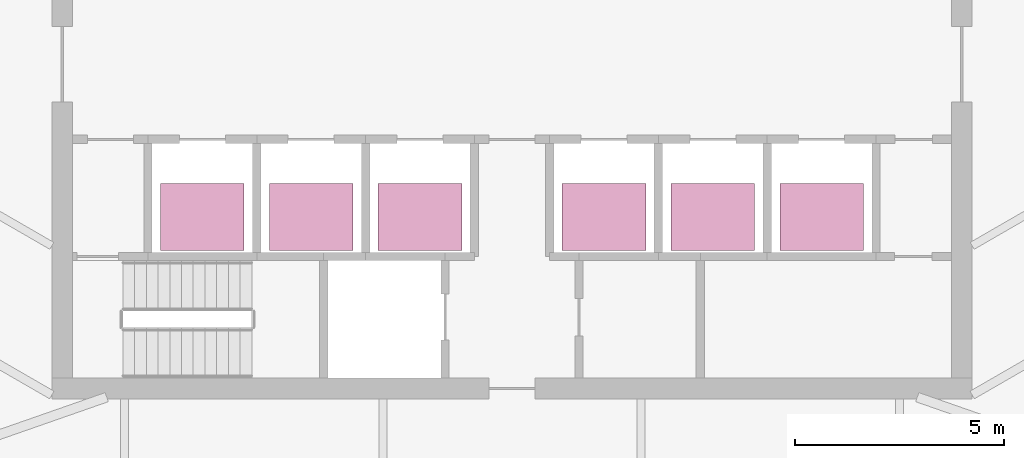
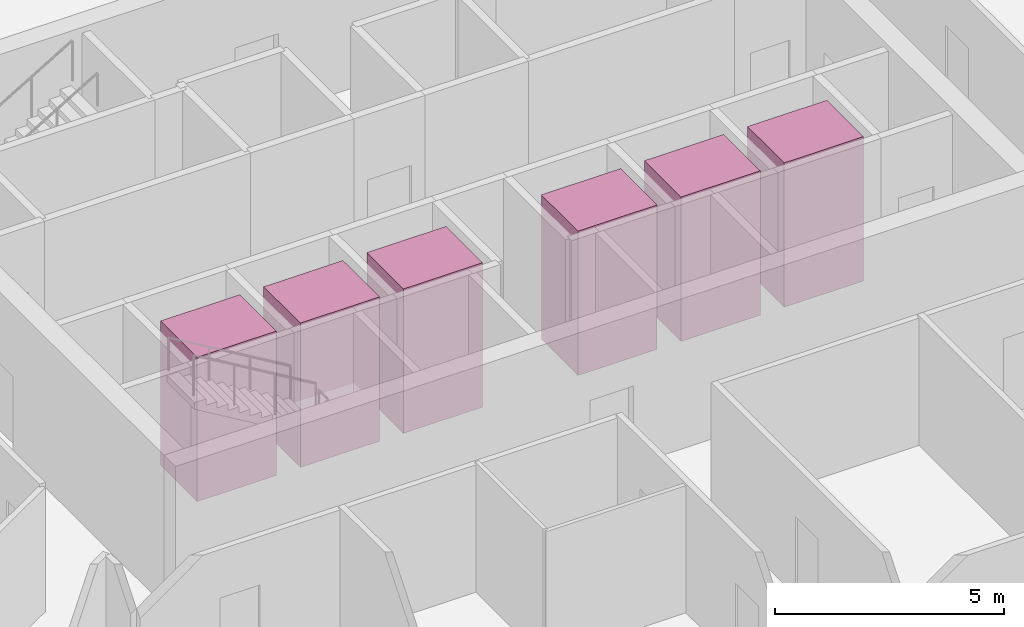
# One storey, part 19 of 19: 6 transport elements.
"""IFC4 building model written with IfcOpenShell, lengths in metres."""

from ifc_helpers import new_model, si_unit, direction, frame, origin, origin_2d, place, context, subcontext, project, spatial, rectangle, extrude, material, type_object, element, save


model = new_model("IFC4")

# Units and contexts
model_context = context("Model", 3, precision=1e-05, world=origin(), true_north=direction((0.0, 1.0)))
body_context = subcontext(model_context, "Body", "Model", "MODEL_VIEW")
ifc_project = project(units=[si_unit("LENGTHUNIT", "METRE"), si_unit("AREAUNIT", "SQUARE_METRE"), si_unit("VOLUMEUNIT", "CUBIC_METRE"), si_unit("PLANEANGLEUNIT", "RADIAN"), si_unit("MASSUNIT", "GRAM", prefix="KILO")], contexts=[model_context])

# Site, building, storey
site_placement = place(None, origin())
site = spatial("IfcSite", under=ifc_project, at=site_placement, CompositionType="ELEMENT")
building_placement = place(site_placement, origin())
building = spatial("IfcBuilding", under=site, at=building_placement, Name="Sierra Prisma Convention Tower", CompositionType="ELEMENT")
storey_placement = place(building_placement, frame((0.0, 0.0, 311.0)))
storey = spatial("IfcBuildingStorey", under=building, at=storey_placement, Name="L71", CompositionType="ELEMENT", Elevation=311.0)

# Transport elements
ifc_material = material(Name="Stainless steel", Category="steel")
transport_element_type = type_object("IfcTransportElementType", Name="Lift car office high 2000x1600 1600 kg", PredefinedType="ELEVATOR", material=ifc_material)
for number, where, z_axis, x_axis, name in (
    (1, (-7.39990234375, -3.64990234375, 0.0), (0.0, 0.0, 1.0), (1.0, 0.0, 0.0), "Lift OH1"),
    (2, (-4.800048828125, -3.64990234375, 0.0), (0.0, 0.0, 1.0), (1.0, 0.0, 0.0), "Lift OH2"),
    (3, (-2.199951171875, -3.64990234375, 0.0), (0.0, 0.0, 1.0), (1.0, 0.0, 0.0), "Lift OH3"),
    (4, (2.199951171875, -3.64990234375, 0.0), (0.0, 0.0, 1.0), (1.0, 0.0, 0.0), "Lift OH4"),
    (5, (4.800048828125, -3.64990234375, 0.0), (0.0, 0.0, 1.0), (1.0, 0.0, 0.0), "Lift OH5"),
    (6, (7.39990234375, -3.64990234375, 0.0), (0.0, 0.0, 1.0), (1.0, 0.0, 0.0), "Lift OH6"),
):
    element("IfcTransportElement", number, at=place(storey_placement, frame(where, z_axis=z_axis, x_axis=x_axis)), inside=storey, type_object=transport_element_type, Name=name, PredefinedType="ELEVATOR", context=body_context, shape_type="SweptSolid", body=[
        extrude(rectangle(XDim=2.0, YDim=1.60009765625, at=origin_2d()), origin(), (0.0, 0.0, 1.0), 3.85009765625),
    ])

save(model, "model.ifc")
